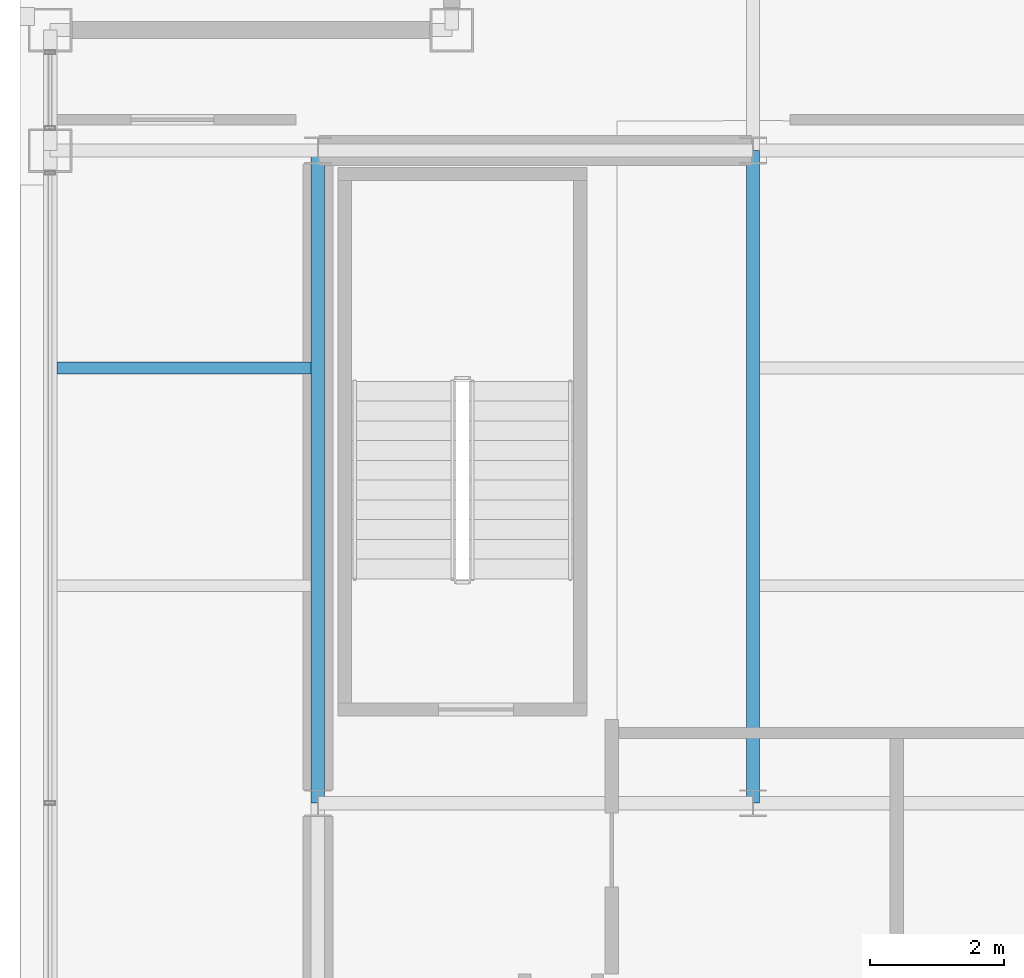
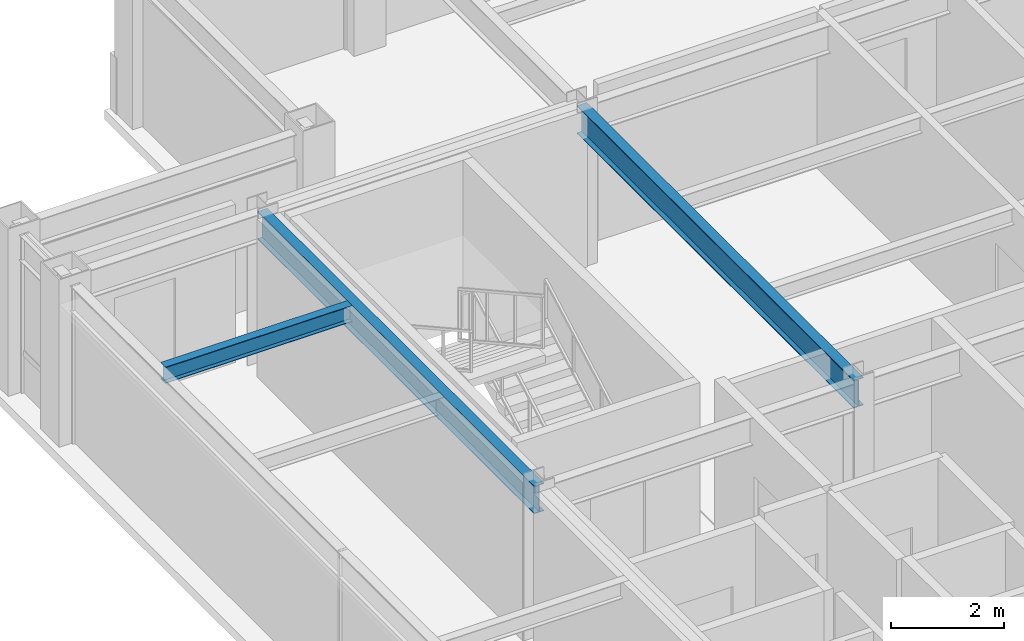
# One storey, part 8 of 24: 3 beams.
"""IFC4 building model written with IfcOpenShell, lengths in metres."""

from ifc_helpers import new_model, si_unit, direction, frame, origin, origin_2d, place, context, subcontext, project, spatial, i_section, extrude, material, material_profile, profile_set, type_object, element, save


model = new_model("IFC4")

# Units and contexts
model_context = context("Model", 3, precision=1e-05, world=origin(), true_north=direction((0.0, 1.0)))
body_context = subcontext(model_context, "Body", "Model", "MODEL_VIEW")
ifc_project = project(units=[si_unit("LENGTHUNIT", "METRE"), si_unit("AREAUNIT", "SQUARE_METRE"), si_unit("VOLUMEUNIT", "CUBIC_METRE"), si_unit("PLANEANGLEUNIT", "RADIAN"), si_unit("MASSUNIT", "GRAM", prefix="KILO")], contexts=[model_context])

# Site, building, storey
site_placement = place(None, origin())
site = spatial("IfcSite", under=ifc_project, at=site_placement, CompositionType="ELEMENT")
building_placement = place(site_placement, origin())
building = spatial("IfcBuilding", under=site, at=building_placement, Name="Brelmoor Portico Tower", CompositionType="ELEMENT")
storey_placement = place(building_placement, frame((0.0, 0.0, 232.800048828125)))
storey = spatial("IfcBuildingStorey", under=building, at=storey_placement, Name="L61", CompositionType="ELEMENT", Elevation=232.800048828125)

# Beams
ifc_material = material(Name="Steel Q355B", Category="steel")
ifc_material_profile_1 = material_profile(ifc_material, i_section(OverallWidth=0.175048828125, OverallDepth=0.35009765625, WebThickness=0.007080078125, FlangeThickness=0.010986328125, at=origin_2d()), Name="HN 350x175x7x11")
ifc_profile_set_1 = profile_set([ifc_material_profile_1], Name="Steel Q355B")
beam_type_1 = type_object("IfcBeamType", Name="BM-JS-350", PredefinedType="JOIST", material=ifc_profile_set_1)
beam_placement = place(storey_placement, frame((-18.449951171875, 6.5, 3.224853515625), z_axis=(1.0, 0.0, 0.0), x_axis=(0.0, 1.0, 0.0)))
element("IfcBeam", 1, at=beam_placement, inside=storey, type_object=beam_type_1, Name="L61 Secondary Wing Joist JS-W10", PredefinedType="JOIST", context=body_context, shape_type="SweptSolid", body=[
    extrude(i_section(OverallWidth=0.175048828125, OverallDepth=0.35009765625, WebThickness=0.007080078125, FlangeThickness=0.010986328125, at=origin_2d()), origin(), (0.0, 0.0, 1.0), 3.800048828125),
])
ifc_material_profile_2 = material_profile(ifc_material, i_section(OverallWidth=0.199951171875, OverallDepth=0.60009765625, WebThickness=0.010986328125, FlangeThickness=0.01708984375, at=origin_2d()), Name="HN 600x200x11x17")
ifc_profile_set_2 = profile_set([ifc_material_profile_2], Name="Steel Q355B")
beam_type_2 = type_object("IfcBeamType", Name="BM-PG-600", PredefinedType="BEAM", material=ifc_profile_set_2)
for number, where, z_axis, x_axis, name in (
    (2, (-14.550048828125, 0.0, 3.099853515625), (0.0, 1.0, 0.0), (-1.0, 0.0, 0.0), "L61 Primary Floor Girder PG-02"),
    (3, (-8.050048828125, 0.0, 3.099853515625), (0.0, 1.0, 0.0), (-1.0, 0.0, 0.0), "L61 Primary Floor Girder PG-04"),
):
    element("IfcBeam", number, at=place(storey_placement, frame(where, z_axis=z_axis, x_axis=x_axis)), inside=storey, type_object=beam_type_2, Name=name, PredefinedType="BEAM", context=body_context, shape_type="SweptSolid", body=[
        extrude(i_section(OverallWidth=0.199951171875, OverallDepth=0.60009765625, WebThickness=0.010986328125, FlangeThickness=0.01708984375, at=origin_2d()), origin(), (0.0, 0.0, 1.0), 9.75),
    ])

save(model, "model.ifc")
